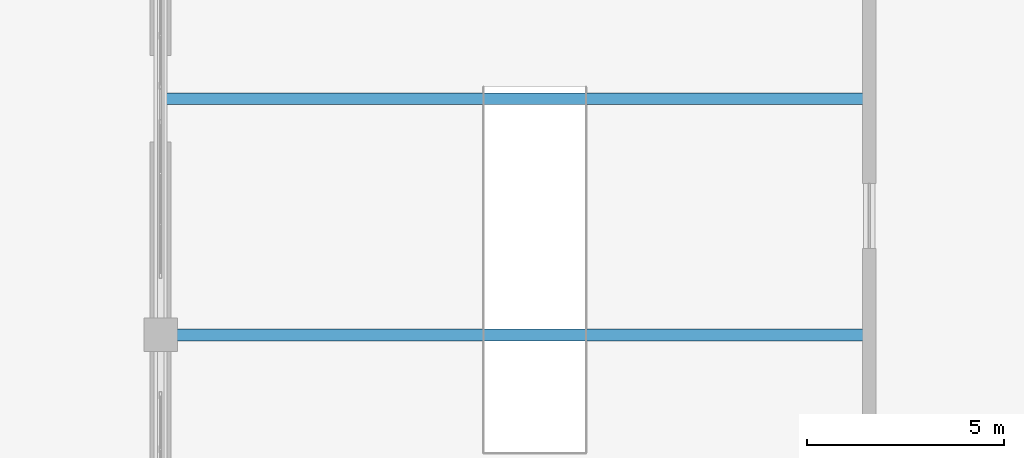
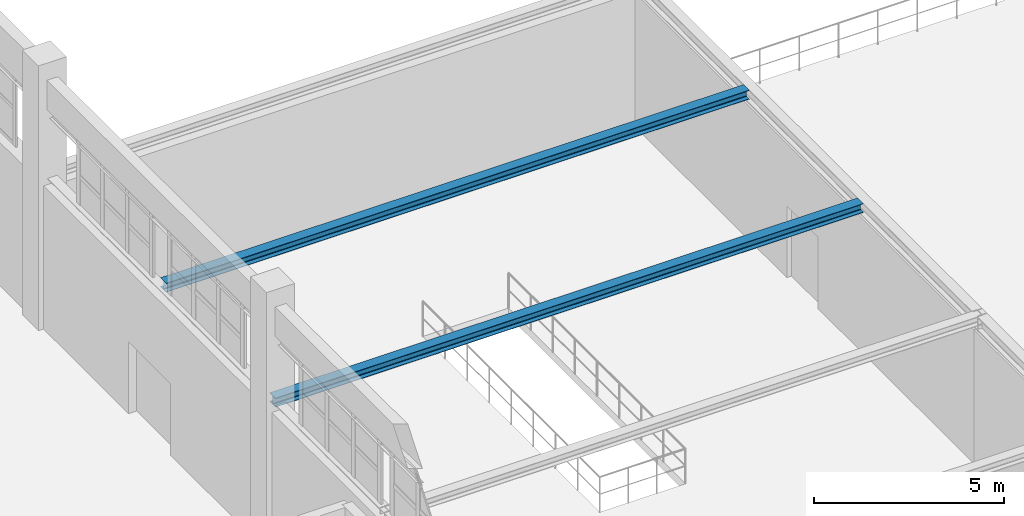
# One storey, part 56 of 97: 2 beams.
"""IFC4 building model written with IfcOpenShell, lengths in metres."""

from ifc_helpers import new_model, si_unit, derived_unit, direction, frame, origin, origin_2d, place, context, subcontext, project, spatial, i_section, extrude, material, material_profile, profile_set, type_object, element, save


model = new_model("IFC4")

# Units and contexts
model_context = context("Model", 3, precision=1e-05, world=origin(), true_north=direction((0.0, 1.0)))
body_context = subcontext(model_context, "Body", "Model", "MODEL_VIEW")
ifc_project = project(units=[si_unit("LENGTHUNIT", "METRE"), si_unit("AREAUNIT", "SQUARE_METRE"), si_unit("VOLUMEUNIT", "CUBIC_METRE"), si_unit("PLANEANGLEUNIT", "RADIAN"), si_unit("MASSUNIT", "GRAM", prefix="KILO"), derived_unit("THERMALTRANSMITTANCEUNIT", [(si_unit("POWERUNIT", "WATT"), 1), (si_unit("LENGTHUNIT", "METRE"), -2), (si_unit("THERMODYNAMICTEMPERATUREUNIT", "KELVIN"), -1)])], contexts=[model_context])

# Site, building, storey
site_placement = place(None, origin())
site = spatial("IfcSite", under=ifc_project, at=site_placement, CompositionType="ELEMENT")
building_placement = place(site_placement, origin())
building = spatial("IfcBuilding", under=site, at=building_placement, Name="Almenara Railside Exhibition Hall", CompositionType="ELEMENT")
storey_placement = place(building_placement, frame((0.0, 0.0, 10.800048828125)))
storey = spatial("IfcBuildingStorey", under=building, at=storey_placement, Name="L02", CompositionType="ELEMENT", Elevation=10.800048828125)

# Beams
ifc_material = material(Name="Structural steel S355JR", Category="steel")
ifc_material_profile = material_profile(ifc_material, i_section(OverallWidth=0.300048828125, OverallDepth=0.2900390625, WebThickness=0.008544921875, FlangeThickness=0.013916015625, FilletRadius=0.027099609375, at=origin_2d()), Name="HEA 300")
ifc_profile_set = profile_set([ifc_material_profile], Name="Structural steel S355JR")
beam_type = type_object("IfcBeamType", Name="Steel Concourse Tie Beam HEA 300 S355JR", PredefinedType="BEAM", material=ifc_profile_set)
beam_1_placement = place(storey_placement, frame((66.0, 96.0, 4.65087890625), z_axis=(1.0, 0.0, 0.0), x_axis=(0.0, 1.0, 0.0)))
element("IfcBeam", 1, at=beam_1_placement, inside=storey, type_object=beam_type, Name="Beam 0840", PredefinedType="BEAM", context=body_context, shape_type="SweptSolid", body=[
    extrude(i_section(OverallWidth=0.300048828125, OverallDepth=0.2900390625, WebThickness=0.008544921875, FlangeThickness=0.013916015625, FilletRadius=0.027099609375, at=origin_2d()), origin(), (0.0, 0.0, 1.0), 17.85009765625),
])
beam_2_placement = place(storey_placement, frame((66.14990234375, 102.0, 4.65087890625), z_axis=(1.0, 0.0, 0.0), x_axis=(0.0, 1.0, 0.0)))
element("IfcBeam", 2, at=beam_2_placement, inside=storey, type_object=beam_type, Name="Beam 0841", PredefinedType="BEAM", context=body_context, shape_type="SweptSolid", body=[
    extrude(i_section(OverallWidth=0.300048828125, OverallDepth=0.2900390625, WebThickness=0.008544921875, FlangeThickness=0.013916015625, FilletRadius=0.027099609375, at=origin_2d()), origin(), (0.0, 0.0, 1.0), 17.7001953125),
])

save(model, "model.ifc")
